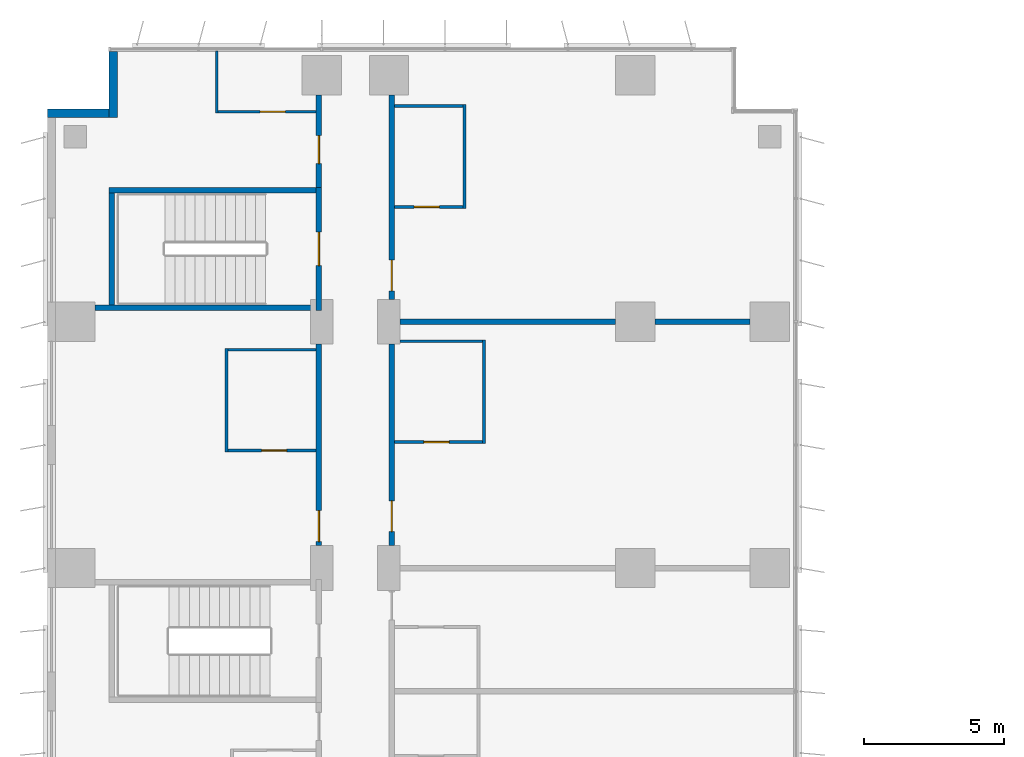
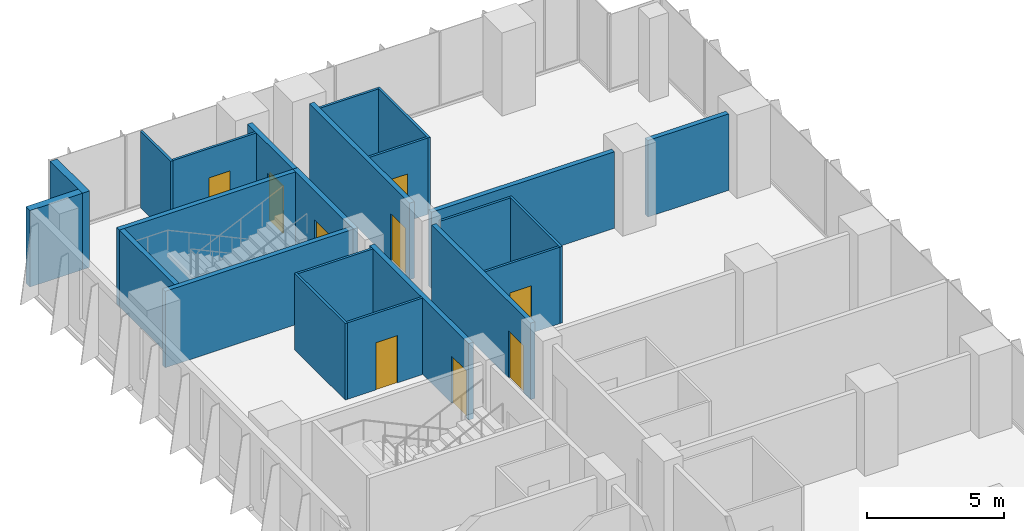
# One storey, part 19 of 24: 23 walls, 9 doors, 9 openings.
"""IFC4 building model written with IfcOpenShell, lengths in metres."""

from ifc_helpers import new_model, si_unit, direction, frame, frame_2d, origin, place, context, subcontext, project, spatial, rectangle, extrude, material, layer, layer_set, type_object, element, fill, save


model = new_model("IFC4")

# Units and contexts
model_context = context("Model", 3, precision=1e-05, world=origin(), true_north=direction((0.0, 1.0)))
body_context = subcontext(model_context, "Body", "Model", "MODEL_VIEW")
ifc_project = project(units=[si_unit("LENGTHUNIT", "METRE"), si_unit("AREAUNIT", "SQUARE_METRE"), si_unit("VOLUMEUNIT", "CUBIC_METRE"), si_unit("PLANEANGLEUNIT", "RADIAN"), si_unit("MASSUNIT", "GRAM", prefix="KILO")], contexts=[model_context])

# Site, building, storey
site_placement = place(None, origin())
site = spatial("IfcSite", under=ifc_project, at=site_placement, CompositionType="ELEMENT")
building_placement = place(site_placement, origin())
building = spatial("IfcBuilding", under=site, at=building_placement, Name="Kemantara Hotel Tower", CompositionType="ELEMENT")
storey_placement = place(building_placement, frame((0.0, 0.0, 63.60009765625)))
storey = spatial("IfcBuildingStorey", under=building, at=storey_placement, Name="L14", CompositionType="ELEMENT", Elevation=63.60009765625)

# Walls
ifc_material_1 = material(Name="Bronze anodised aluminium cladding on insulated steel stud wall", Category="steel")
ifc_layer_1 = layer(ifc_material_1, 0.300048828125)
ifc_layer_set_1 = layer_set([ifc_layer_1], Name="Bronze anodised aluminium cladding on insulated steel stud wall")
wall_type_1 = type_object("IfcWallType", Name="BRONZE METAL-CLAD EXTERNAL WALL 300", PredefinedType="STANDARD", material=ifc_layer_set_1)
wall_1_placement = place(storey_placement, frame((2.35009765625, 81.050048828125, 0.0), z_axis=(0.0, 0.0, 1.0), x_axis=(0.0, -1.0, 0.0)))
element("IfcWall", 1, at=wall_1_placement, inside=storey, type_object=wall_type_1, Name="EXTERNAL WALL L14 T1-R12", PredefinedType="STANDARD", context=body_context, shape_type="SweptSolid", body=[
    extrude(rectangle(XDim=2.35009765625, YDim=0.300048828125, at=frame_2d((1.175048828125, 0.0))), origin(), (0.0, 0.0, 1.0), 3.39990234375),
])
wall_2_placement = place(storey_placement, frame((2.199951171875, 78.85009765625, 0.0), z_axis=(0.0, 0.0, 1.0), x_axis=(-1.0, 0.0, 0.0)))
element("IfcWall", 2, at=wall_2_placement, inside=storey, type_object=wall_type_1, Name="EXTERNAL WALL L14 T1-R13", PredefinedType="STANDARD", context=body_context, shape_type="SweptSolid", body=[
    extrude(rectangle(XDim=2.199951171875, YDim=0.300048828125, at=frame_2d((1.10009765625, 0.0))), origin(), (0.0, 0.0, 1.0), 3.39990234375),
])

# Wall, opening, door
ifc_material_2 = material(Name="Gypsum board partition, steel studs and mineral wool, 200 mm", Category="steel")
ifc_layer_2 = layer(ifc_material_2, 0.199951171875)
ifc_layer_set_2 = layer_set([ifc_layer_2], Name="Gypsum board partition, steel studs and mineral wool, 200 mm")
wall_type_2 = type_object("IfcWallType", Name="CORRIDOR WALL 200", PredefinedType="PARTITIONING", material=ifc_layer_set_2)
wall_3_placement = place(storey_placement, frame((9.699951171875, 63.400146484375, 0.0), z_axis=(0.0, 0.0, 1.0), x_axis=(0.0, 1.0, 0.0)))
wall_3 = element("IfcWall", 3, at=wall_3_placement, inside=storey, type_object=wall_type_2, Name="CORRIDOR WALL 200 033", PredefinedType="PARTITIONING", context=body_context, shape_type="SweptSolid", body=[
    extrude(rectangle(XDim=7.19970703125, YDim=0.199951171875, at=frame_2d((3.599853515625, 0.0))), origin(), (0.0, 0.0, 1.0), 3.39990234375),
])
opening_1_placement = place(wall_3_placement, frame((0.14990234375, 0.0, 0.0)))
opening_1 = element("IfcOpeningElement", 4, at=opening_1_placement, cuts=wall_3, Name="Opening F05-045", PredefinedType="OPENING", context=body_context, shape_type="SweptSolid", body=[
    extrude(rectangle(XDim=1.10009765625, YDim=2.10009765625, at=frame_2d((0.550048828125, 1.050048828125))), frame((0.0, 0.10986328125, 0.0), z_axis=(0.0, -1.0, 0.0), x_axis=(1.0, 0.0, 0.0)), (0.0, 0.0, 1.0), 0.219970703125),
])
ifc_material_3 = material(Name="Hardwood veneer door leaf with steel frame", Category="steel")
door_type_1 = type_object("IfcDoorType", Name="SUITE ENTRANCE DOOR 1100 X 2100 FD30S", OperationType="NOTDEFINED", PredefinedType="DOOR", material=ifc_material_3)
door_1_placement = place(opening_1_placement, origin())
door_1 = element("IfcDoor", 5, at=door_1_placement, inside=storey, type_object=door_type_1, Name="SUITE ENTRANCE DOOR F05-045", OperationType="SINGLE_SWING_LEFT", OverallHeight=2.10009765625, OverallWidth=1.10009765625, PredefinedType="DOOR", context=body_context, shape_type="SweptSolid", body=[
    extrude(rectangle(XDim=1.10009765625, YDim=2.10009765625, at=frame_2d((0.550048828125, 1.050048828125))), frame((0.0, 0.02490234375, 0.0), z_axis=(0.0, -1.0, 0.0), x_axis=(1.0, 0.0, 0.0)), (0.0, 0.0, 1.0), 0.050048828125),
])
fill(opening_1, door_1)

wall_4_placement = place(storey_placement, frame((9.699951171875, 76.199951171875, 0.0), z_axis=(0.0, 0.0, 1.0), x_axis=(0.0, 1.0, 0.0)))
wall_4 = element("IfcWall", 6, at=wall_4_placement, inside=storey, type_object=wall_type_2, Name="CORRIDOR WALL 200 034", PredefinedType="PARTITIONING", context=body_context, shape_type="SweptSolid", body=[
    extrude(rectangle(XDim=3.300048828125, YDim=0.199951171875, at=frame_2d((1.64990234375, 0.0))), origin(), (0.0, 0.0, 1.0), 3.39990234375),
])
opening_2_placement = place(wall_4_placement, frame((0.85009765625, 0.0, 0.0)))
opening_2 = element("IfcOpeningElement", 7, at=opening_2_placement, cuts=wall_4, Name="Opening F05-047", PredefinedType="OPENING", context=body_context, shape_type="SweptSolid", body=[
    extrude(rectangle(XDim=1.0, YDim=2.10009765625, at=frame_2d((0.5, 1.050048828125))), frame((0.0, 0.10986328125, 0.0), z_axis=(0.0, -1.0, 0.0), x_axis=(1.0, 0.0, 0.0)), (0.0, 0.0, 1.0), 0.219970703125),
])
door_type_2 = type_object("IfcDoorType", Name="GUEST ROOM DOOR 1000 X 2100 FD30S", OperationType="NOTDEFINED", PredefinedType="DOOR", material=ifc_material_3)
door_2_placement = place(opening_2_placement, origin())
door_2 = element("IfcDoor", 8, at=door_2_placement, inside=storey, type_object=door_type_2, Name="GUEST ROOM DOOR F05-047", OperationType="SINGLE_SWING_LEFT", OverallHeight=2.10009765625, OverallWidth=1.0, PredefinedType="DOOR", context=body_context, shape_type="SweptSolid", body=[
    extrude(rectangle(XDim=1.0, YDim=2.10009765625, at=frame_2d((0.5, 1.050048828125))), frame((0.0, 0.02490234375, 0.0), z_axis=(0.0, -1.0, 0.0), x_axis=(1.0, 0.0, 0.0)), (0.0, 0.0, 1.0), 0.050048828125),
])
fill(opening_2, door_2)

wall_5_placement = place(storey_placement, frame((12.300048828125, 70.599853515625, 0.0), z_axis=(0.0, 0.0, 1.0), x_axis=(0.0, -1.0, 0.0)))
wall_5 = element("IfcWall", 9, at=wall_5_placement, inside=storey, type_object=wall_type_2, Name="CORRIDOR WALL 200 053", PredefinedType="PARTITIONING", context=body_context, shape_type="SweptSolid", body=[
    extrude(rectangle(XDim=7.19970703125, YDim=0.199951171875, at=frame_2d((3.599853515625, 0.0))), origin(), (0.0, 0.0, 1.0), 3.39990234375),
])
opening_3_placement = place(wall_5_placement, frame((5.599853515625, 0.0, 0.0)))
opening_3 = element("IfcOpeningElement", 10, at=opening_3_placement, cuts=wall_5, Name="Opening F05-063", PredefinedType="OPENING", context=body_context, shape_type="SweptSolid", body=[
    extrude(rectangle(XDim=1.10009765625, YDim=2.10009765625, at=frame_2d((0.550048828125, 1.050048828125))), frame((0.0, 0.10986328125, 0.0), z_axis=(0.0, -1.0, 0.0), x_axis=(1.0, 0.0, 0.0)), (0.0, 0.0, 1.0), 0.219970703125),
])
door_3_placement = place(opening_3_placement, origin())
door_3 = element("IfcDoor", 11, at=door_3_placement, inside=storey, type_object=door_type_1, Name="SUITE ENTRANCE DOOR F05-063", OperationType="SINGLE_SWING_RIGHT", OverallHeight=2.10009765625, OverallWidth=1.10009765625, PredefinedType="DOOR", context=body_context, shape_type="SweptSolid", body=[
    extrude(rectangle(XDim=1.10009765625, YDim=2.10009765625, at=frame_2d((0.550048828125, 1.050048828125))), frame((0.0, 0.02490234375, 0.0), z_axis=(0.0, -1.0, 0.0), x_axis=(1.0, 0.0, 0.0)), (0.0, 0.0, 1.0), 0.050048828125),
])
fill(opening_3, door_3)

wall_6_placement = place(storey_placement, frame((12.300048828125, 79.5, 0.0), z_axis=(0.0, 0.0, 1.0), x_axis=(0.0, -1.0, 0.0)))
wall_6 = element("IfcWall", 12, at=wall_6_placement, inside=storey, type_object=wall_type_2, Name="CORRIDOR WALL 200 054", PredefinedType="PARTITIONING", context=body_context, shape_type="SweptSolid", body=[
    extrude(rectangle(XDim=7.2998046875, YDim=0.199951171875, at=frame_2d((3.64990234375, 0.0))), origin(), (0.0, 0.0, 1.0), 3.39990234375),
])
opening_4_placement = place(wall_6_placement, frame((5.89990234375, 0.0, 0.0)))
opening_4 = element("IfcOpeningElement", 13, at=opening_4_placement, cuts=wall_6, Name="Opening F05-065", PredefinedType="OPENING", context=body_context, shape_type="SweptSolid", body=[
    extrude(rectangle(XDim=1.10009765625, YDim=2.10009765625, at=frame_2d((0.550048828125, 1.050048828125))), frame((0.0, 0.10986328125, 0.0), z_axis=(0.0, -1.0, 0.0), x_axis=(1.0, 0.0, 0.0)), (0.0, 0.0, 1.0), 0.219970703125),
])
door_4_placement = place(opening_4_placement, origin())
door_4 = element("IfcDoor", 14, at=door_4_placement, inside=storey, type_object=door_type_1, Name="SUITE ENTRANCE DOOR F05-065", OperationType="SINGLE_SWING_RIGHT", OverallHeight=2.10009765625, OverallWidth=1.10009765625, PredefinedType="DOOR", context=body_context, shape_type="SweptSolid", body=[
    extrude(rectangle(XDim=1.10009765625, YDim=2.10009765625, at=frame_2d((0.550048828125, 1.050048828125))), frame((0.0, 0.02490234375, 0.0), z_axis=(0.0, -1.0, 0.0), x_axis=(1.0, 0.0, 0.0)), (0.0, 0.0, 1.0), 0.050048828125),
])
fill(opening_4, door_4)

ifc_material_4 = material(Name="Concrete fc 40 MPa", Category="concrete")
ifc_layer_3 = layer(ifc_material_4, 0.199951171875)
ifc_layer_set_3 = layer_set([ifc_layer_3], Name="Concrete fc 40 MPa")
wall_type_3 = type_object("IfcWallType", Name="Concrete stair wall 200 mm", PredefinedType="SHEAR", material=ifc_layer_set_3)
wall_7_placement = place(storey_placement, frame((9.699951171875, 71.800048828125, 0.0), z_axis=(0.0, 0.0, 1.0), x_axis=(0.0, 1.0, 0.0)))
wall_7 = element("IfcWall", 15, at=wall_7_placement, inside=storey, type_object=wall_type_3, Name="Stair ST6 enclosure wall with door", PredefinedType="SHEAR", context=body_context, shape_type="SweptSolid", body=[
    extrude(rectangle(XDim=4.39990234375, YDim=0.199951171875, at=frame_2d((2.199951171875, 0.0))), origin(), (0.0, 0.0, 1.0), 3.39990234375),
])
opening_5_placement = place(wall_7_placement, frame((1.60009765625, 0.0, 0.0)))
opening_5 = element("IfcOpeningElement", 16, at=opening_5_placement, cuts=wall_7, Name="Opening ST6-C", PredefinedType="OPENING", context=body_context, shape_type="SweptSolid", body=[
    extrude(rectangle(XDim=1.199951171875, YDim=2.10009765625, at=frame_2d((0.60009765625, 1.050048828125))), frame((0.0, 0.10986328125, 0.0), z_axis=(0.0, -1.0, 0.0), x_axis=(1.0, 0.0, 0.0)), (0.0, 0.0, 1.0), 0.219970703125),
])
ifc_material_5 = material(Name="Steel fire door", Category="steel")
door_type_3 = type_object("IfcDoorType", Name="Fire door FD90 1200 x 2100", OperationType="NOTDEFINED", PredefinedType="DOOR", material=ifc_material_5)
door_5_placement = place(opening_5_placement, origin())
door_5 = element("IfcDoor", 17, at=door_5_placement, inside=storey, type_object=door_type_3, Name="Stair ST6 door", OperationType="SINGLE_SWING_RIGHT", OverallHeight=2.10009765625, OverallWidth=1.199951171875, PredefinedType="DOOR", context=body_context, shape_type="SweptSolid", body=[
    extrude(rectangle(XDim=1.199951171875, YDim=2.10009765625, at=frame_2d((0.60009765625, 1.050048828125))), frame((0.0, 0.02490234375, 0.0), z_axis=(0.0, -1.0, 0.0), x_axis=(1.0, 0.0, 0.0)), (0.0, 0.0, 1.0), 0.050048828125),
])
fill(opening_5, door_5)

# Walls
wall_8_placement = place(storey_placement, frame((2.199951171875, 76.10009765625, 0.0), z_axis=(0.0, 0.0, 1.0), x_axis=(1.0, 0.0, 0.0)))
element("IfcWall", 18, at=wall_8_placement, inside=storey, type_object=wall_type_3, Name="Stair ST6 enclosure wall N", PredefinedType="SHEAR", context=body_context, shape_type="SweptSolid", body=[
    extrude(rectangle(XDim=7.400146484375, YDim=0.199951171875, at=frame_2d((3.7001953125, 0.0))), origin(), (0.0, 0.0, 1.0), 3.39990234375),
])
wall_9_placement = place(storey_placement, frame((1.699951171875, 71.89990234375, 0.0), z_axis=(0.0, 0.0, 1.0), x_axis=(1.0, 0.0, 0.0)))
element("IfcWall", 19, at=wall_9_placement, inside=storey, type_object=wall_type_3, Name="Stair ST6 enclosure wall S", PredefinedType="SHEAR", context=body_context, shape_type="SweptSolid", body=[
    extrude(rectangle(XDim=7.900146484375, YDim=0.199951171875, at=frame_2d((3.9501953125, 0.0))), origin(), (0.0, 0.0, 1.0), 3.39990234375),
])
wall_10_placement = place(storey_placement, frame((2.300048828125, 72.0, 0.0), z_axis=(0.0, 0.0, 1.0), x_axis=(0.0, 1.0, 0.0)))
element("IfcWall", 20, at=wall_10_placement, inside=storey, type_object=wall_type_3, Name="Stair ST6 enclosure wall W", PredefinedType="SHEAR", context=body_context, shape_type="SweptSolid", body=[
    extrude(rectangle(XDim=4.0, YDim=0.199951171875, at=frame_2d((2.0, 0.0))), origin(), (0.0, 0.0, 1.0), 3.39990234375),
])
ifc_layer_4 = layer(ifc_material_2, 0.199951171875)
ifc_layer_set_4 = layer_set([ifc_layer_4], Name="Gypsum board partition, steel studs and mineral wool, 200 mm")
wall_type_4 = type_object("IfcWallType", Name="GUEST ROOM PARTY WALL 200", PredefinedType="PARTITIONING", material=ifc_layer_set_4)
wall_11_placement = place(storey_placement, frame((12.60009765625, 71.39990234375, 0.0), z_axis=(0.0, 0.0, 1.0), x_axis=(1.0, 0.0, 0.0)))
element("IfcWall", 21, at=wall_11_placement, inside=storey, type_object=wall_type_4, Name="GUEST ROOM PARTY WALL 200 063", PredefinedType="PARTITIONING", context=body_context, shape_type="SweptSolid", body=[
    extrude(rectangle(XDim=7.69970703125, YDim=0.199951171875, at=frame_2d((3.849853515625, 0.0))), origin(), (0.0, 0.0, 1.0), 3.39990234375),
])
wall_12_placement = place(storey_placement, frame((21.7001953125, 71.39990234375, 0.0), z_axis=(0.0, 0.0, 1.0), x_axis=(1.0, 0.0, 0.0)))
element("IfcWall", 22, at=wall_12_placement, inside=storey, type_object=wall_type_4, Name="GUEST ROOM PARTY WALL 200 064", PredefinedType="PARTITIONING", context=body_context, shape_type="SweptSolid", body=[
    extrude(rectangle(XDim=3.399658203125, YDim=0.199951171875, at=frame_2d((1.69970703125, 0.0))), origin(), (0.0, 0.0, 1.0), 3.39990234375),
])
ifc_material_6 = material(Name="Gypsum board partition on steel studs, 100 mm", Category="steel")
ifc_layer_5 = layer(ifc_material_6, 0.10009765625)
ifc_layer_set_5 = layer_set([ifc_layer_5], Name="Gypsum board partition on steel studs, 100 mm")
wall_type_5 = type_object("IfcWallType", Name="ROOM PARTITION 100", PredefinedType="PARTITIONING", material=ifc_layer_set_5)
wall_13_placement = place(storey_placement, frame((6.050048828125, 78.85009765625, 0.0), z_axis=(0.0, 0.0, 1.0), x_axis=(0.0, 1.0, 0.0)))
element("IfcWall", 23, at=wall_13_placement, inside=storey, type_object=wall_type_5, Name="ROOM PARTITION 100 092", PredefinedType="PARTITIONING", context=body_context, shape_type="SweptSolid", body=[
    extrude(rectangle(XDim=2.219970703125, YDim=0.10009765625, at=frame_2d((1.10986328125, 0.0))), origin(), (0.0, 0.0, 1.0), 3.39990234375),
])
wall_14_placement = place(storey_placement, frame((6.39990234375, 66.75, 0.0), z_axis=(0.0, 0.0, 1.0), x_axis=(0.0, 1.0, 0.0)))
element("IfcWall", 24, at=wall_14_placement, inside=storey, type_object=wall_type_5, Name="ROOM PARTITION 100 104", PredefinedType="PARTITIONING", context=body_context, shape_type="SweptSolid", body=[
    extrude(rectangle(XDim=3.699951171875, YDim=0.10009765625, at=frame_2d((1.85009765625, 0.0))), origin(), (0.0, 0.0, 1.0), 3.39990234375),
])

# Wall, opening, door
wall_15_placement = place(storey_placement, frame((6.449951171875, 66.800048828125, 0.0), z_axis=(0.0, 0.0, 1.0), x_axis=(1.0, 0.0, 0.0)))
wall_15 = element("IfcWall", 25, at=wall_15_placement, inside=storey, type_object=wall_type_5, Name="ROOM PARTITION 100 114", PredefinedType="PARTITIONING", context=body_context, shape_type="SweptSolid", body=[
    extrude(rectangle(XDim=3.150146484375, YDim=0.10009765625, at=frame_2d((1.5751953125, 0.0))), origin(), (0.0, 0.0, 1.0), 3.39990234375),
])
opening_6_placement = place(wall_15_placement, frame((1.199951171875, 0.0, 0.0)))
opening_6 = element("IfcOpeningElement", 26, at=opening_6_placement, cuts=wall_15, Name="Opening F05-046", PredefinedType="OPENING", context=body_context, shape_type="SweptSolid", body=[
    extrude(rectangle(XDim=0.89990234375, YDim=2.10009765625, at=frame_2d((0.449951171875, 1.050048828125))), frame((0.0, 0.06005859375, 0.0), z_axis=(0.0, -1.0, 0.0), x_axis=(1.0, 0.0, 0.0)), (0.0, 0.0, 1.0), 0.1201171875),
])
door_type_4 = type_object("IfcDoorType", Name="BATHROOM DOOR 900 X 2100", OperationType="NOTDEFINED", PredefinedType="DOOR", material=ifc_material_3)
door_6_placement = place(opening_6_placement, origin())
door_6 = element("IfcDoor", 27, at=door_6_placement, inside=storey, type_object=door_type_4, Name="BATHROOM DOOR F05-046", OperationType="SINGLE_SWING_RIGHT", OverallHeight=2.10009765625, OverallWidth=0.89990234375, PredefinedType="DOOR", context=body_context, shape_type="SweptSolid", body=[
    extrude(rectangle(XDim=0.89990234375, YDim=2.10009765625, at=frame_2d((0.449951171875, 1.050048828125))), frame((0.0, 0.02490234375, 0.0), z_axis=(0.0, -1.0, 0.0), x_axis=(1.0, 0.0, 0.0)), (0.0, 0.0, 1.0), 0.050048828125),
])
fill(opening_6, door_6)

# Wall
wall_16_placement = place(storey_placement, frame((6.449951171875, 70.39990234375, 0.0), z_axis=(0.0, 0.0, 1.0), x_axis=(1.0, 0.0, 0.0)))
element("IfcWall", 28, at=wall_16_placement, inside=storey, type_object=wall_type_5, Name="ROOM PARTITION 100 115", PredefinedType="PARTITIONING", context=body_context, shape_type="SweptSolid", body=[
    extrude(rectangle(XDim=3.150146484375, YDim=0.10009765625, at=frame_2d((1.5751953125, 0.0))), origin(), (0.0, 0.0, 1.0), 3.39990234375),
])

# Wall, opening, door
wall_17_placement = place(storey_placement, frame((6.10009765625, 78.89990234375, 0.0), z_axis=(0.0, 0.0, 1.0), x_axis=(1.0, 0.0, 0.0)))
wall_17 = element("IfcWall", 29, at=wall_17_placement, inside=storey, type_object=wall_type_5, Name="ROOM PARTITION 100 116", PredefinedType="PARTITIONING", context=body_context, shape_type="SweptSolid", body=[
    extrude(rectangle(XDim=3.5, YDim=0.10009765625, at=frame_2d((1.75, 0.0))), origin(), (0.0, 0.0, 1.0), 3.39990234375),
])
opening_7_placement = place(wall_17_placement, frame((1.5, 0.0, 0.0)))
opening_7 = element("IfcOpeningElement", 30, at=opening_7_placement, cuts=wall_17, Name="Opening F05-048", PredefinedType="OPENING", context=body_context, shape_type="SweptSolid", body=[
    extrude(rectangle(XDim=0.89990234375, YDim=2.10009765625, at=frame_2d((0.449951171875, 1.050048828125))), frame((0.0, 0.06005859375, 0.0), z_axis=(0.0, -1.0, 0.0), x_axis=(1.0, 0.0, 0.0)), (0.0, 0.0, 1.0), 0.1201171875),
])
door_7_placement = place(opening_7_placement, origin())
door_7 = element("IfcDoor", 31, at=door_7_placement, inside=storey, type_object=door_type_4, Name="BATHROOM DOOR F05-048", OperationType="SINGLE_SWING_RIGHT", OverallHeight=2.10009765625, OverallWidth=0.89990234375, PredefinedType="DOOR", context=body_context, shape_type="SweptSolid", body=[
    extrude(rectangle(XDim=0.89990234375, YDim=2.10009765625, at=frame_2d((0.449951171875, 1.050048828125))), frame((0.0, 0.02490234375, 0.0), z_axis=(0.0, -1.0, 0.0), x_axis=(1.0, 0.0, 0.0)), (0.0, 0.0, 1.0), 0.050048828125),
])
fill(opening_7, door_7)

# Wall
wall_18_placement = place(storey_placement, frame((15.60009765625, 67.050048828125, 0.0), z_axis=(0.0, 0.0, 1.0), x_axis=(0.0, 1.0, 0.0)))
element("IfcWall", 32, at=wall_18_placement, inside=storey, type_object=wall_type_5, Name="ROOM PARTITION 100 119", PredefinedType="PARTITIONING", context=body_context, shape_type="SweptSolid", body=[
    extrude(rectangle(XDim=3.699951171875, YDim=0.10009765625, at=frame_2d((1.85009765625, 0.0))), origin(), (0.0, 0.0, 1.0), 3.39990234375),
])

# Wall, opening, door
wall_19_placement = place(storey_placement, frame((12.39990234375, 67.10009765625, 0.0), z_axis=(0.0, 0.0, 1.0), x_axis=(1.0, 0.0, 0.0)))
wall_19 = element("IfcWall", 33, at=wall_19_placement, inside=storey, type_object=wall_type_5, Name="ROOM PARTITION 100 130", PredefinedType="PARTITIONING", context=body_context, shape_type="SweptSolid", body=[
    extrude(rectangle(XDim=3.150146484375, YDim=0.10009765625, at=frame_2d((1.5751953125, 0.0))), origin(), (0.0, 0.0, 1.0), 3.39990234375),
])
opening_8_placement = place(wall_19_placement, frame((1.050048828125, 0.0, 0.0)))
opening_8 = element("IfcOpeningElement", 34, at=opening_8_placement, cuts=wall_19, Name="Opening F05-064", PredefinedType="OPENING", context=body_context, shape_type="SweptSolid", body=[
    extrude(rectangle(XDim=0.89990234375, YDim=2.10009765625, at=frame_2d((0.449951171875, 1.050048828125))), frame((0.0, 0.06005859375, 0.0), z_axis=(0.0, -1.0, 0.0), x_axis=(1.0, 0.0, 0.0)), (0.0, 0.0, 1.0), 0.1201171875),
])
door_8_placement = place(opening_8_placement, origin())
door_8 = element("IfcDoor", 35, at=door_8_placement, inside=storey, type_object=door_type_4, Name="BATHROOM DOOR F05-064", OperationType="SINGLE_SWING_LEFT", OverallHeight=2.10009765625, OverallWidth=0.89990234375, PredefinedType="DOOR", context=body_context, shape_type="SweptSolid", body=[
    extrude(rectangle(XDim=0.89990234375, YDim=2.10009765625, at=frame_2d((0.449951171875, 1.050048828125))), frame((0.0, 0.02490234375, 0.0), z_axis=(0.0, -1.0, 0.0), x_axis=(1.0, 0.0, 0.0)), (0.0, 0.0, 1.0), 0.050048828125),
])
fill(opening_8, door_8)

# Walls
wall_20_placement = place(storey_placement, frame((12.60009765625, 70.699951171875, 0.0), z_axis=(0.0, 0.0, 1.0), x_axis=(1.0, 0.0, 0.0)))
element("IfcWall", 36, at=wall_20_placement, inside=storey, type_object=wall_type_5, Name="ROOM PARTITION 100 131", PredefinedType="PARTITIONING", context=body_context, shape_type="SweptSolid", body=[
    extrude(rectangle(XDim=2.949951171875, YDim=0.10009765625, at=frame_2d((1.47509765625, 0.0))), origin(), (0.0, 0.0, 1.0), 3.39990234375),
])
wall_21_placement = place(storey_placement, frame((14.89990234375, 75.449951171875, 0.0), z_axis=(0.0, 0.0, 1.0), x_axis=(0.0, 1.0, 0.0)))
element("IfcWall", 37, at=wall_21_placement, inside=storey, type_object=wall_type_5, Name="ROOM PARTITION 100 132", PredefinedType="PARTITIONING", context=body_context, shape_type="SweptSolid", body=[
    extrude(rectangle(XDim=3.699951171875, YDim=0.10009765625, at=frame_2d((1.85009765625, 0.0))), origin(), (0.0, 0.0, 1.0), 3.39990234375),
])

# Wall, opening, door
wall_22_placement = place(storey_placement, frame((12.39990234375, 75.5, 0.0), z_axis=(0.0, 0.0, 1.0), x_axis=(1.0, 0.0, 0.0)))
wall_22 = element("IfcWall", 38, at=wall_22_placement, inside=storey, type_object=wall_type_5, Name="ROOM PARTITION 100 133", PredefinedType="PARTITIONING", context=body_context, shape_type="SweptSolid", body=[
    extrude(rectangle(XDim=2.4501953125, YDim=0.10009765625, at=frame_2d((1.22509765625, 0.0))), origin(), (0.0, 0.0, 1.0), 3.39990234375),
])
opening_9_placement = place(wall_22_placement, frame((0.699951171875, 0.0, 0.0)))
opening_9 = element("IfcOpeningElement", 39, at=opening_9_placement, cuts=wall_22, Name="Opening F05-066", PredefinedType="OPENING", context=body_context, shape_type="SweptSolid", body=[
    extrude(rectangle(XDim=0.89990234375, YDim=2.10009765625, at=frame_2d((0.449951171875, 1.050048828125))), frame((0.0, 0.06005859375, 0.0), z_axis=(0.0, -1.0, 0.0), x_axis=(1.0, 0.0, 0.0)), (0.0, 0.0, 1.0), 0.1201171875),
])
door_9_placement = place(opening_9_placement, origin())
door_9 = element("IfcDoor", 40, at=door_9_placement, inside=storey, type_object=door_type_4, Name="BATHROOM DOOR F05-066", OperationType="SINGLE_SWING_LEFT", OverallHeight=2.10009765625, OverallWidth=0.89990234375, PredefinedType="DOOR", context=body_context, shape_type="SweptSolid", body=[
    extrude(rectangle(XDim=0.89990234375, YDim=2.10009765625, at=frame_2d((0.449951171875, 1.050048828125))), frame((0.0, 0.02490234375, 0.0), z_axis=(0.0, -1.0, 0.0), x_axis=(1.0, 0.0, 0.0)), (0.0, 0.0, 1.0), 0.050048828125),
])
fill(opening_9, door_9)

# Wall
wall_23_placement = place(storey_placement, frame((12.39990234375, 79.10009765625, 0.0), z_axis=(0.0, 0.0, 1.0), x_axis=(1.0, 0.0, 0.0)))
element("IfcWall", 41, at=wall_23_placement, inside=storey, type_object=wall_type_5, Name="ROOM PARTITION 100 134", PredefinedType="PARTITIONING", context=body_context, shape_type="SweptSolid", body=[
    extrude(rectangle(XDim=2.4501953125, YDim=0.10009765625, at=frame_2d((1.22509765625, 0.0))), origin(), (0.0, 0.0, 1.0), 3.39990234375),
])

save(model, "model.ifc")
